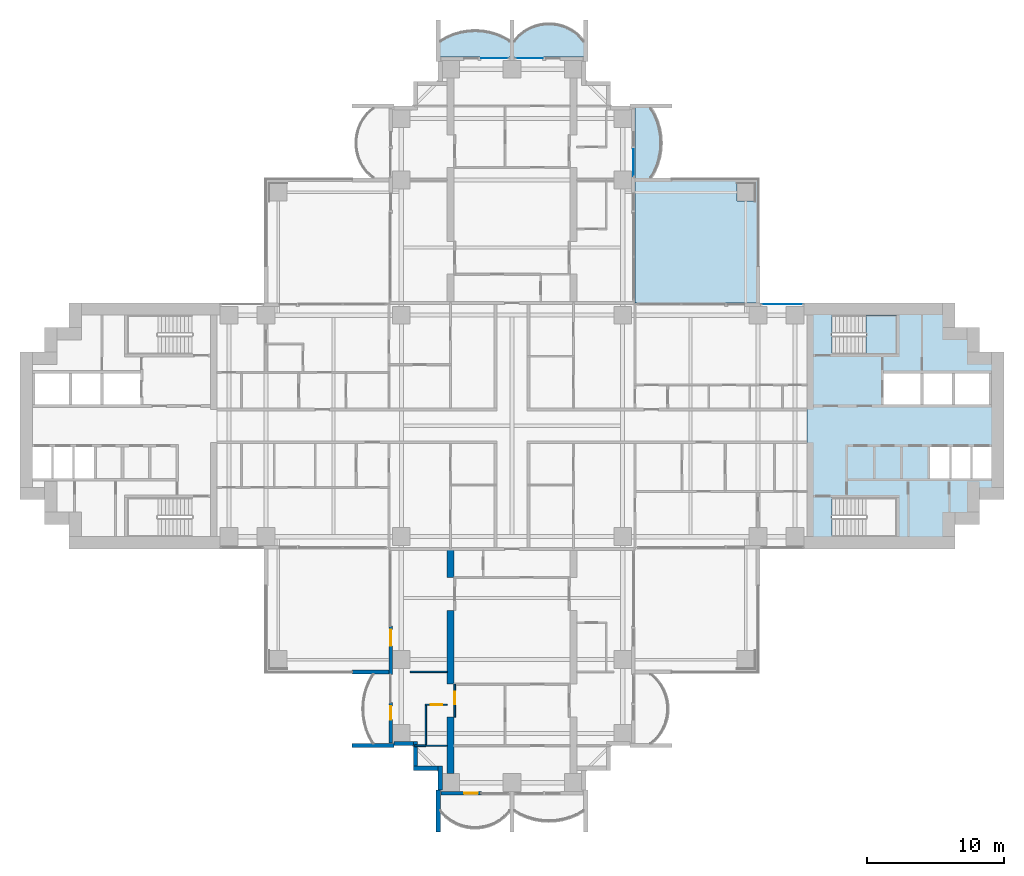
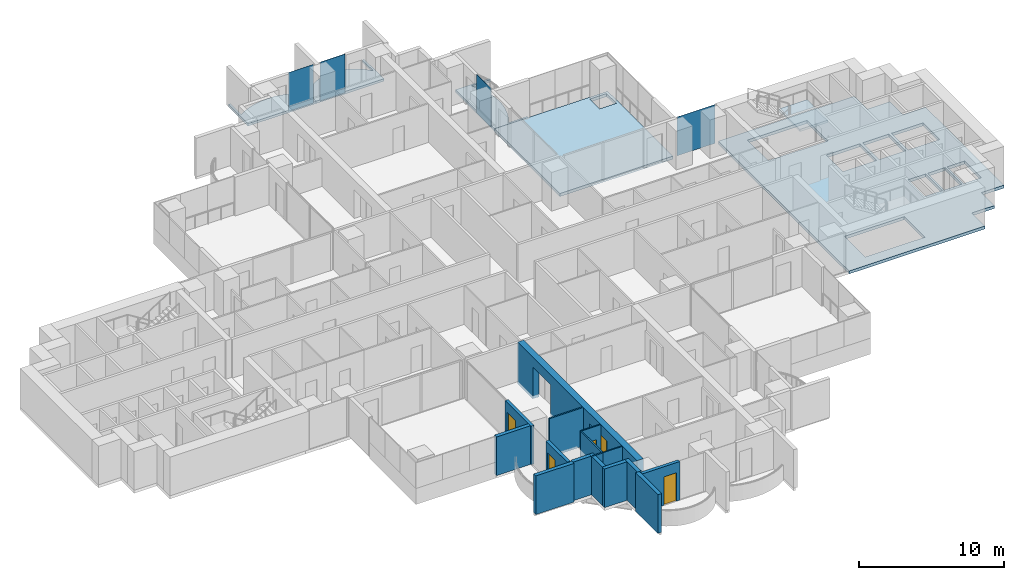
# One storey, part 9 of 21: 17 walls, 6 slabs, 5 doors, 4 plates, 5 openings, 5 elements without a shape of their own.
"""IFC4 building model written with IfcOpenShell, lengths in metres."""

import ifcopenshell
import ifcopenshell.guid

model = None  # the IFC model being written
_history = None  # IfcOwnerHistory: only IFC2X3 demands one
_inside = {}  # id of a spatial element -> (the spatial element, [elements in it])
_under = {}  # id of a project, library or spatial element -> (it, [spatial elements below it])
_declared = {}  # id of a project -> (the project, [libraries it declares])
_typed = {}  # id of a type object -> (the type object, [elements of that type])
_made_of = {}  # id of a material, layer set ... -> (it, [elements and type objects made of it])


def new_model(schema):
    """Start an empty IFC model of exactly this schema.

    Asked for "IFC4X3", IfcOpenShell would pick the latest addendum, in which some entities
    have other attributes; the version numbers below select the first issue.
    IFC2X3 requires an IfcOwnerHistory on every rooted entity: one is made here for all.
    """
    global model, _history
    if schema == "IFC4X3":
        model = ifcopenshell.file(schema_version=(4, 3, 0, 0))
    else:
        model = ifcopenshell.file(schema=schema)
    _inside.clear()
    _under.clear()
    _declared.clear()
    _typed.clear()
    _made_of.clear()
    _history = None
    if model.schema == "IFC2X3":
        org = make("IfcOrganization", Name="unknown")
        user = make(
            "IfcPersonAndOrganization",
            ThePerson=make("IfcPerson", FamilyName="unknown"),
            TheOrganization=org,
        )
        app = make(
            "IfcApplication",
            ApplicationDeveloper=org,
            Version="unknown",
            ApplicationFullName="unknown",
            ApplicationIdentifier="unknown",
        )
        _history = make(
            "IfcOwnerHistory",
            OwningUser=user,
            OwningApplication=app,
            ChangeAction="ADDED",
            CreationDate=0,
        )
    return model


def make(cls, **values):
    """One entity of the class cls with the attributes given. An attribute that is None is left unset."""
    return model.create_entity(
        cls, **{name: value for name, value in values.items() if value is not None}
    )


def rooted(cls, **values):
    """An entity with a GlobalId (a new one), such as an element, a storey or a relation."""
    return make(cls, GlobalId=ifcopenshell.guid.new(), OwnerHistory=_history, **values)


def si_unit(unit_type, name, prefix=None):
    """IfcSIUnit, for example si_unit("LENGTHUNIT", "METRE", prefix="MILLI")."""
    return make("IfcSIUnit", UnitType=unit_type, Prefix=prefix, Name=name)


def assignment(units):
    """IfcUnitAssignment: the units of a project."""
    return None if units is None else make("IfcUnitAssignment", Units=units)


def point(xyz):
    """IfcCartesianPoint."""
    return None if xyz is None else make("IfcCartesianPoint", Coordinates=xyz)


def direction(xyz):
    """IfcDirection."""
    return None if xyz is None else make("IfcDirection", DirectionRatios=xyz)


def frame(location, z_axis=None, x_axis=None):
    """IfcAxis2Placement3D, a coordinate frame: its origin and axes. An axis left out is left unset."""
    return make(
        "IfcAxis2Placement3D",
        Location=point(location),
        Axis=direction(z_axis),
        RefDirection=direction(x_axis),
    )


def frame_2d(location, x_axis=None):
    """IfcAxis2Placement2D, a coordinate frame in the plane: its origin and x axis."""
    return make(
        "IfcAxis2Placement2D", Location=point(location), RefDirection=direction(x_axis)
    )


def origin():
    """The frame at (0, 0, 0) with its axes left unset."""
    return frame((0.0, 0.0, 0.0))


def origin_2d():
    """The frame at (0, 0) in the plane with its x axis left unset."""
    return frame_2d((0.0, 0.0))


def place(relative_to, where):
    """IfcLocalPlacement: puts the frame where relative to a parent placement (None: the world)."""
    return make(
        "IfcLocalPlacement", PlacementRelTo=relative_to, RelativePlacement=where
    )


def context(
    kind, dimensions, precision=None, world=None, true_north=None, identifier=None
):
    """IfcGeometricRepresentationContext, for example the 3D "Model" context."""
    return make(
        "IfcGeometricRepresentationContext",
        ContextIdentifier=identifier,
        ContextType=kind,
        CoordinateSpaceDimension=dimensions,
        Precision=precision,
        WorldCoordinateSystem=world,
        TrueNorth=true_north,
    )


def subcontext(parent, identifier, kind, view, scale=None):
    """IfcGeometricRepresentationSubContext, for example "Body" below "Model"."""
    return make(
        "IfcGeometricRepresentationSubContext",
        ContextIdentifier=identifier,
        ContextType=kind,
        ParentContext=parent,
        TargetScale=scale,
        TargetView=view,
    )


def project(units=None, contexts=None):
    """IfcProject with its units and contexts."""
    return rooted(
        "IfcProject",
        Name="project",
        RepresentationContexts=contexts,
        UnitsInContext=assignment(units),
    )


def spatial(cls, under=None, at=None, **own):
    """A site, building, storey or space (cls), placed at a placement, below another one or the project."""
    s = rooted(cls, ObjectPlacement=at, **own)
    if under is not None:
        _under.setdefault(under.id(), (under, []))[1].append(s)
    return s


def polyline(points):
    """IfcPolyline through the points."""
    return make("IfcPolyline", Points=[point(p) for p in points])


def profile(cls, at=None, kind="AREA", **sizes):
    """A parametric profile (cls). Its sizes go by their IFC names, for example OverallWidth=200.0."""
    return make(cls, ProfileType=kind, Position=at, **sizes)


def rectangle(**sizes):
    """IfcRectangleProfileDef."""
    return profile("IfcRectangleProfileDef", **sizes)


def outline(outer, holes=None, kind="AREA"):
    """IfcArbitraryClosedProfileDef: a profile drawn as a closed curve; with holes, ...WithVoids."""
    if holes is None:
        return make("IfcArbitraryClosedProfileDef", ProfileType=kind, OuterCurve=outer)
    return make(
        "IfcArbitraryProfileDefWithVoids",
        ProfileType=kind,
        OuterCurve=outer,
        InnerCurves=holes,
    )


def extrude(swept, where, along, depth):
    """IfcExtrudedAreaSolid: the profile swept, set in the frame where, extruded along a direction by depth."""
    return make(
        "IfcExtrudedAreaSolid",
        SweptArea=swept,
        Position=where,
        ExtrudedDirection=direction(along),
        Depth=depth,
    )


def shape(context_of_items, identifier, shape_type, items):
    """IfcShapeRepresentation: the items that make up one representation, for example the "Body"."""
    return make(
        "IfcShapeRepresentation",
        ContextOfItems=context_of_items,
        RepresentationIdentifier=identifier,
        RepresentationType=shape_type,
        Items=items,
    )


def material(Name=None, Category=None):
    """IfcMaterial."""
    return make("IfcMaterial", Name=Name, Category=Category)


def layer(
    of_material, thickness, ventilated=None, Name=None, Category=None, Priority=None
):
    """IfcMaterialLayer: one layer of a wall or slab, of a material (None: an air gap)."""
    return make(
        "IfcMaterialLayer",
        Material=of_material,
        LayerThickness=thickness,
        IsVentilated=ventilated,
        Name=Name,
        Category=Category,
        Priority=Priority,
    )


def layer_set(layers, Name=None):
    """IfcMaterialLayerSet."""
    return make("IfcMaterialLayerSet", MaterialLayers=layers, LayerSetName=Name)


def material_profile(
    of_material, cross_section, Name=None, Category=None, Priority=None
):
    """IfcMaterialProfile: a cross section and its material."""
    return make(
        "IfcMaterialProfile",
        Name=Name,
        Material=of_material,
        Profile=cross_section,
        Priority=Priority,
        Category=Category,
    )


def profile_set(profiles, Name=None, composite=None):
    """IfcMaterialProfileSet."""
    return make(
        "IfcMaterialProfileSet",
        Name=Name,
        MaterialProfiles=profiles,
        CompositeProfile=composite,
    )


def made_of(thing, what):
    """Note that an element or type object is made of a material, layer set ...; save() writes the relation."""
    if what is not None:
        _made_of.setdefault(what.id(), (what, []))[1].append(thing)
    return thing


def type_object(cls, material=None, **own):
    """A type object (cls), such as IfcWallType, which elements share."""
    return made_of(rooted(cls, **own), material)


def element(
    cls,
    number,
    at=None,
    inside=None,
    cuts=None,
    type_object=None,
    material=None,
    context=None,
    identifier="Body",
    shape_type=None,
    held_by="IfcProductDefinitionShape",
    body=None,
    shapes=None,
    **own,
):
    """One element of the class cls, such as IfcWall. Its Tag is "e" and its number.

    at: its placement. inside: the storey or other place that contains it. cuts: it is an
    opening in that element (IfcRelVoidsElement). A single representation is given by context,
    identifier, shape_type and body (its items); several are given by shapes. held_by: the class
    of the entity that holds the representations. save() writes the other relations.
    """
    e = rooted(cls, Tag="e%d" % number, ObjectPlacement=at, **own)
    if body is not None:
        shapes = [shape(context, identifier, shape_type, body)]
    if shapes is not None:
        e.Representation = make(held_by, Representations=shapes)
    if inside is not None:
        _inside.setdefault(inside.id(), (inside, []))[1].append(e)
    if cuts is not None:
        rooted(
            "IfcRelVoidsElement", RelatingBuildingElement=cuts, RelatedOpeningElement=e
        )
    if type_object is not None:
        _typed.setdefault(type_object.id(), (type_object, []))[1].append(e)
    return made_of(e, material)


def fill(opening, filler):
    """IfcRelFillsElement: the door or window that sits in an opening."""
    return rooted(
        "IfcRelFillsElement",
        RelatingOpeningElement=opening,
        RelatedBuildingElement=filler,
    )


def aggregate(whole, parts):
    """IfcRelAggregates: a whole, such as a stair, and the parts it consists of."""
    return rooted("IfcRelAggregates", RelatingObject=whole, RelatedObjects=parts)


def save(model, path):
    """Write the relations noted so far, then the file.

    IfcRelAggregates (storeys below a building ...), IfcRelContainedInSpatialStructure (elements
    in a storey), IfcRelDefinesByType, IfcRelAssociatesMaterial and IfcRelDeclares: one each for
    every whole, place, type object, material and project.
    """
    for whole, parts in _under.values():
        aggregate(whole, parts)
    for where, things in _inside.values():
        rooted(
            "IfcRelContainedInSpatialStructure",
            RelatedElements=things,
            RelatingStructure=where,
        )
    for kind, things in _typed.values():
        rooted("IfcRelDefinesByType", RelatedObjects=things, RelatingType=kind)
    for what, things in _made_of.values():
        rooted("IfcRelAssociatesMaterial", RelatedObjects=things, RelatingMaterial=what)
    for by, libraries in _declared.values():
        rooted("IfcRelDeclares", RelatingContext=by, RelatedDefinitions=libraries)
    model.write(path)


model = new_model("IFC4")

# Units and contexts
model_context = context("Model", 3, precision=1e-05, world=origin(), true_north=direction((0.0, 1.0)))
body_context = subcontext(model_context, "Body", "Model", "MODEL_VIEW")
ifc_project = project(units=[si_unit("LENGTHUNIT", "METRE"), si_unit("AREAUNIT", "SQUARE_METRE"), si_unit("VOLUMEUNIT", "CUBIC_METRE"), si_unit("PLANEANGLEUNIT", "RADIAN"), si_unit("MASSUNIT", "GRAM", prefix="KILO")], contexts=[model_context])

# Site, building, storey
site_placement = place(None, origin())
site = spatial("IfcSite", under=ifc_project, at=site_placement, CompositionType="ELEMENT")
building_placement = place(site_placement, origin())
building = spatial("IfcBuilding", under=site, at=building_placement, Name="Perihelion Cross Residences", CompositionType="ELEMENT")
storey_placement = place(building_placement, frame((0.0, 0.0, 43.5)))
storey = spatial("IfcBuildingStorey", under=building, at=storey_placement, Name="L07", CompositionType="ELEMENT", Elevation=43.5)

# Slabs
ifc_material_1 = material(Name="Concrete C40/50", Category="concrete")
ifc_layer_1 = layer(ifc_material_1, 0.199951171875)
ifc_layer_set_1 = layer_set([ifc_layer_1], Name="Balcony slab 200")
slab_type_1 = type_object("IfcSlabType", Name="Balcony slab 200", PredefinedType="FLOOR", material=ifc_layer_set_1)
slab_1_placement = place(storey_placement, frame((0.0, 0.0, -0.199951171875)))
element("IfcSlab", 1, at=slab_1_placement, inside=storey, type_object=slab_type_1, Name="Slab BK1 L07 north side east bay 2 balcony", PredefinedType="FLOOR", context=body_context, shape_type="SweptSolid", body=[
    extrude(outline(polyline([(9.0, 18.0), (9.0, 23.39990234375), (11.699951171875, 23.39990234375), (11.699951171875, 23.25), (10.199951171875, 23.25), (10.4853515625, 22.739990234375), (10.694580078125, 22.22998046875), (10.838134765625, 21.719970703125), (10.92236328125, 21.2099609375), (10.949951171875, 20.699951171875), (10.92236328125, 20.18994140625), (10.838134765625, 19.679931640625), (10.694580078125, 19.169921875), (10.4853515625, 18.659912109375), (10.199951171875, 18.14990234375), (11.699951171875, 18.14990234375), (11.699951171875, 18.0), (9.0, 18.0)])), origin(), (0.0, 0.0, 1.0), 0.199951171875),
])
slab_2_placement = place(storey_placement, frame((0.0, 0.0, -0.199951171875)))
element("IfcSlab", 2, at=slab_2_placement, inside=storey, type_object=slab_type_1, Name="Slab BK1 L07 north tip north bay 1 balcony", PredefinedType="FLOOR", context=body_context, shape_type="SweptSolid", body=[
    extrude(outline(polyline([(5.39990234375, 27.0), (0.0, 27.0), (0.0, 29.699951171875), (0.14990234375, 29.699951171875), (0.14990234375, 28.199951171875), (0.542236328125, 28.622314453125), (0.9345703125, 28.924072265625), (1.326904296875, 29.143310546875), (1.71923828125, 29.29736328125), (2.111572265625, 29.39599609375), (2.50390625, 29.444091796875), (2.896240234375, 29.444091796875), (3.28857421875, 29.39599609375), (3.6806640625, 29.29736328125), (4.072998046875, 29.143310546875), (4.46533203125, 28.924072265625), (4.857666015625, 28.622314453125), (5.25, 28.199951171875), (5.25, 29.699951171875), (5.39990234375, 29.699951171875), (5.39990234375, 27.0)])), origin(), (0.0, 0.0, 1.0), 0.199951171875),
])
slab_3_placement = place(storey_placement, frame((0.0, 0.0, -0.199951171875)))
element("IfcSlab", 3, at=slab_3_placement, inside=storey, type_object=slab_type_1, Name="Slab BK1 L07 north tip north bay 2 balcony", PredefinedType="FLOOR", context=body_context, shape_type="SweptSolid", body=[
    extrude(outline(polyline([(0.0, 27.0), (-5.39990234375, 27.0), (-5.39990234375, 29.699951171875), (-5.25, 29.699951171875), (-5.25, 28.199951171875), (-4.739990234375, 28.4853515625), (-4.22998046875, 28.694580078125), (-3.719970703125, 28.838134765625), (-3.2099609375, 28.92236328125), (-2.699951171875, 28.949951171875), (-2.18994140625, 28.92236328125), (-1.679931640625, 28.838134765625), (-1.169921875, 28.694580078125), (-0.659912109375, 28.4853515625), (-0.14990234375, 28.199951171875), (-0.14990234375, 29.699951171875), (0.0, 29.699951171875), (0.0, 27.0)])), origin(), (0.0, 0.0, 1.0), 0.199951171875),
])

# Curtain wall, plate
ifc_material_2 = material(Name="Bronze anodised aluminium, tinted glazing", Category="aluminium")
curtain_wall_type = type_object("IfcCurtainWallType", Name="CW1", PredefinedType="NOTDEFINED", material=ifc_material_2)
curtain_wall_1_placement = place(storey_placement, origin())
curtain_wall_1 = element("IfcCurtainWall", 4, at=curtain_wall_1_placement, inside=storey, type_object=curtain_wall_type, Name="Curtain wall CW1 L07 east side north bay 1", PredefinedType="NOTDEFINED")
ifc_material_3 = material(Name="Tinted laminated glass", Category="glass")
ifc_layer_2 = layer(ifc_material_3, 0.028076171875)
ifc_layer_set_2 = layer_set([ifc_layer_2], Name="CW1 panel")
plate_type = type_object("IfcPlateType", Name="CW1 panel", PredefinedType="CURTAIN_PANEL", material=ifc_layer_set_2)
plate_1_placement = place(storey_placement, frame((19.77490234375, 8.89990234375, 0.0), z_axis=(0.0, 0.0, 1.0), x_axis=(-1.0, 0.0, 0.0)))
plate_1 = element("IfcPlate", 5, at=plate_1_placement, type_object=plate_type, Name="CW1 panel 1", PredefinedType="CURTAIN_PANEL", context=body_context, shape_type="SweptSolid", body=[
    extrude(rectangle(XDim=3.030029296875, YDim=0.028076171875, at=origin_2d()), origin(), (0.0, 0.0, 1.0), 3.25),
])
aggregate(curtain_wall_1, [plate_1])

curtain_wall_2_placement = place(storey_placement, origin())
curtain_wall_2 = element("IfcCurtainWall", 6, at=curtain_wall_2_placement, inside=storey, type_object=curtain_wall_type, Name="Curtain wall CW1 L07 north side east bay 2", PredefinedType="NOTDEFINED")
plate_2_placement = place(storey_placement, frame((8.89990234375, 19.2548828125, 0.0), z_axis=(0.0, 0.0, 1.0), x_axis=(0.0, 1.0, 0.0)))
plate_2 = element("IfcPlate", 7, at=plate_2_placement, type_object=plate_type, Name="CW1 panel 1", PredefinedType="CURTAIN_PANEL", context=body_context, shape_type="SweptSolid", body=[
    extrude(rectangle(XDim=1.989990234375, YDim=0.028076171875, at=origin_2d()), origin(), (0.0, 0.0, 1.0), 3.25),
])
aggregate(curtain_wall_2, [plate_2])

curtain_wall_3_placement = place(storey_placement, origin())
curtain_wall_3 = element("IfcCurtainWall", 8, at=curtain_wall_3_placement, inside=storey, type_object=curtain_wall_type, Name="Curtain wall CW1 L07 north tip north bay 1", PredefinedType="NOTDEFINED")
plate_3_placement = place(storey_placement, frame((1.2548828125, 26.89990234375, 0.0), z_axis=(0.0, 0.0, 1.0), x_axis=(-1.0, 0.0, 0.0)))
plate_3 = element("IfcPlate", 9, at=plate_3_placement, type_object=plate_type, Name="CW1 panel 1", PredefinedType="CURTAIN_PANEL", context=body_context, shape_type="SweptSolid", body=[
    extrude(rectangle(XDim=1.989990234375, YDim=0.028076171875, at=origin_2d()), origin(), (0.0, 0.0, 1.0), 3.25),
])
aggregate(curtain_wall_3, [plate_3])

curtain_wall_4_placement = place(storey_placement, origin())
curtain_wall_4 = element("IfcCurtainWall", 10, at=curtain_wall_4_placement, inside=storey, type_object=curtain_wall_type, Name="Curtain wall CW1 L07 north tip north bay 2", PredefinedType="NOTDEFINED")
plate_4_placement = place(storey_placement, frame((-1.2548828125, 26.89990234375, 0.0), z_axis=(0.0, 0.0, 1.0), x_axis=(-1.0, 0.0, 0.0)))
plate_4 = element("IfcPlate", 11, at=plate_4_placement, type_object=plate_type, Name="CW1 panel 1", PredefinedType="CURTAIN_PANEL", context=body_context, shape_type="SweptSolid", body=[
    extrude(rectangle(XDim=1.989990234375, YDim=0.028076171875, at=origin_2d()), origin(), (0.0, 0.0, 1.0), 3.25),
])
aggregate(curtain_wall_4, [plate_4])

# Slabs
ifc_material_4 = material(Name="Concrete C40/50", Category="concrete")
ifc_layer_3 = layer(ifc_material_4, 0.25)
ifc_layer_set_3 = layer_set([ifc_layer_3], Name="Core floor slab 250")
slab_type_2 = type_object("IfcSlabType", Name="Core floor slab 250", PredefinedType="FLOOR", material=ifc_layer_set_3)
slab_4_placement = place(storey_placement, frame((0.0, 0.0, -0.25)))
element("IfcSlab", 12, at=slab_4_placement, inside=storey, type_object=slab_type_2, Name="East core floor slab", PredefinedType="FLOOR", context=body_context, shape_type="SweptSolid", body=[
    extrude(outline(polyline([(32.39990234375, 7.199951171875), (34.199951171875, 7.199951171875), (34.199951171875, 5.39990234375), (36.0, 5.39990234375), (36.0, -5.39990234375), (34.199951171875, -5.39990234375), (34.199951171875, -7.199951171875), (32.39990234375, -7.199951171875), (32.39990234375, -9.0), (21.60009765625, -9.0), (21.60009765625, 9.0), (32.39990234375, 9.0), (32.39990234375, 7.199951171875)]), holes=[polyline([(23.405029296875, -8.10009765625), (28.14990234375, -8.10009765625), (28.14990234375, -5.25), (23.405029296875, -5.25), (23.405029296875, -8.10009765625)]), polyline([(30.60009765625, -1.550048828125), (30.60009765625, -3.85009765625), (32.0, -3.85009765625), (32.0, -1.550048828125), (30.60009765625, -1.550048828125)]), polyline([(32.14990234375, -1.550048828125), (32.14990234375, -3.85009765625), (33.550048828125, -3.85009765625), (33.550048828125, -1.550048828125), (32.14990234375, -1.550048828125)]), polyline([(33.699951171875, -1.550048828125), (33.699951171875, -3.85009765625), (35.10009765625, -3.85009765625), (35.10009765625, -1.550048828125), (33.699951171875, -1.550048828125)]), polyline([(27.199951171875, 3.85009765625), (27.199951171875, 1.550048828125), (29.89990234375, 1.550048828125), (29.89990234375, 3.85009765625), (27.199951171875, 3.85009765625)]), polyline([(30.10009765625, 3.85009765625), (30.10009765625, 1.550048828125), (32.199951171875, 1.550048828125), (32.199951171875, 3.85009765625), (30.10009765625, 3.85009765625)]), polyline([(32.39990234375, 3.85009765625), (32.39990234375, 1.550048828125), (34.89990234375, 1.550048828125), (34.89990234375, 3.85009765625), (32.39990234375, 3.85009765625)]), polyline([(23.405029296875, 5.25), (28.14990234375, 5.25), (28.14990234375, 8.10009765625), (23.405029296875, 8.10009765625), (23.405029296875, 5.25)])]), origin(), (0.0, 0.0, 1.0), 0.25),
])
ifc_material_5 = material(Name="Concrete C40/50", Category="concrete")
ifc_layer_4 = layer(ifc_material_5, 0.25)
ifc_layer_set_4 = layer_set([ifc_layer_4], Name="Corner terrace slab")
slab_type_3 = type_object("IfcSlabType", Name="Corner terrace slab", PredefinedType="FLOOR", material=ifc_layer_set_4)
slab_5_placement = place(storey_placement, frame((0.0, 0.0, -0.25)))
element("IfcSlab", 13, at=slab_5_placement, inside=storey, type_object=slab_type_3, Name="Slab BK2 L07 pocket north-east", PredefinedType="FLOOR", context=body_context, shape_type="SweptSolid", body=[
    extrude(outline(polyline([(18.0, 9.0), (18.0, 18.0), (9.0, 18.0), (9.0, 9.0), (18.0, 9.0)]), holes=[polyline([(16.449951171875, 16.449951171875), (16.449951171875, 17.7900390625), (17.7900390625, 17.7900390625), (17.7900390625, 16.409912109375), (17.75, 16.409912109375), (17.75, 16.449951171875), (16.449951171875, 16.449951171875)])]), origin(), (0.0, 0.0, 1.0), 0.25),
])

# Stair, slab
ifc_material_6 = material(Name="Concrete C40/50", Category="concrete")
stair_type = type_object("IfcStairType", Name="Exit stair, half-turn", PredefinedType="HALF_TURN_STAIR", material=ifc_material_6)
stair_placement = place(storey_placement, origin())
stair = element("IfcStair", 14, at=stair_placement, inside=storey, type_object=stair_type, Name="L07 East core exit stair 1", PredefinedType="HALF_TURN_STAIR")
ifc_material_7 = material(Name="Concrete C40/50", Category="concrete")
ifc_layer_5 = layer(ifc_material_7, 0.199951171875)
ifc_layer_set_5 = layer_set([ifc_layer_5], Name="Exit stair landing 200")
slab_type_4 = type_object("IfcSlabType", Name="Exit stair landing 200", PredefinedType="LANDING", material=ifc_layer_set_5)
slab_6_placement = place(storey_placement, frame((0.0, 0.0, 1.550048828125)))
slab_6 = element("IfcSlab", 15, at=slab_6_placement, type_object=slab_type_4, Name="ST-E1 landing 1", PredefinedType="LANDING", context=body_context, shape_type="SweptSolid", body=[
    extrude(outline(polyline([(25.919921875, 5.25), (28.14990234375, 5.25), (28.14990234375, 8.10009765625), (25.919921875, 8.10009765625), (25.919921875, 5.25)])), origin(), (0.0, 0.0, 1.0), 0.199951171875),
])
aggregate(stair, [slab_6])

# Wall, opening, door
ifc_material_8 = material(Name="Concrete C30/37, bronze-clad", Category="concrete")
ifc_layer_6 = layer(ifc_material_8, 0.25)
ifc_layer_set_6 = layer_set([ifc_layer_6], Name="Bronze-clad pier wall 250")
wall_type_1 = type_object("IfcWallType", Name="Bronze-clad pier wall 250", PredefinedType="SOLIDWALL", material=ifc_layer_set_6)
wall_1_placement = place(storey_placement, frame((-8.875, -14.64990234375, 0.0), z_axis=(0.0, 0.0, 1.0), x_axis=(0.0, -1.0, 0.0)))
wall_1 = element("IfcWall", 16, at=wall_1_placement, inside=storey, type_object=wall_type_1, Name="Wall FW1 L07 south side west bay 1 pier", PredefinedType="SOLIDWALL", context=body_context, shape_type="SweptSolid", body=[
    extrude(rectangle(XDim=3.550048828125, YDim=0.25, at=frame_2d((1.77490234375, 0.0))), origin(), (0.0, 0.0, 1.0), 3.25),
])
opening_1_placement = place(wall_1_placement, frame((0.25, 0.0, 0.0)))
opening_1 = element("IfcOpeningElement", 17, at=opening_1_placement, cuts=wall_1, Name="Opening L07.E10", PredefinedType="OPENING", context=body_context, shape_type="SweptSolid", body=[
    extrude(rectangle(XDim=1.199951171875, YDim=2.39990234375, at=frame_2d((0.60009765625, 1.199951171875))), frame((0.0, 0.135009765625, 0.0), z_axis=(0.0, -1.0, 0.0), x_axis=(1.0, 0.0, 0.0)), (0.0, 0.0, 1.0), 0.27001953125),
])
ifc_material_9 = material(Name="Bronze anodised aluminium, glazed", Category="aluminium")
door_type_1 = type_object("IfcDoorType", Name="Balcony door 1200 x 2400", OperationType="NOTDEFINED", PredefinedType="DOOR", material=ifc_material_9)
door_1_placement = place(opening_1_placement, origin())
door_1 = element("IfcDoor", 18, at=door_1_placement, inside=storey, type_object=door_type_1, Name="Door L07.E10 south side west bay 1", OperationType="SINGLE_SWING_LEFT", OverallHeight=2.39990234375, OverallWidth=1.199951171875, PredefinedType="DOOR", context=body_context, shape_type="SweptSolid", body=[
    extrude(rectangle(XDim=1.199951171875, YDim=2.39990234375, at=frame_2d((0.60009765625, 1.199951171875))), frame((0.0, 0.02490234375, 0.0), z_axis=(0.0, -1.0, 0.0), x_axis=(1.0, 0.0, 0.0)), (0.0, 0.0, 1.0), 0.050048828125),
])
fill(opening_1, door_1)

wall_2_placement = place(storey_placement, frame((-8.875, -20.25, 0.0), z_axis=(0.0, 0.0, 1.0), x_axis=(0.0, -1.0, 0.0)))
wall_2 = element("IfcWall", 19, at=wall_2_placement, inside=storey, type_object=wall_type_1, Name="Wall FW1 L07 south side west bay 2 pier", PredefinedType="SOLIDWALL", context=body_context, shape_type="SweptSolid", body=[
    extrude(rectangle(XDim=2.949951171875, YDim=0.25, at=frame_2d((1.47509765625, 0.0))), origin(), (0.0, 0.0, 1.0), 3.25),
])
opening_2_placement = place(wall_2_placement, frame((0.25, 0.0, 0.0)))
opening_2 = element("IfcOpeningElement", 20, at=opening_2_placement, cuts=wall_2, Name="Opening L07.E11", PredefinedType="OPENING", context=body_context, shape_type="SweptSolid", body=[
    extrude(rectangle(XDim=1.0, YDim=2.39990234375, at=frame_2d((0.5, 1.199951171875))), frame((0.0, 0.135009765625, 0.0), z_axis=(0.0, -1.0, 0.0), x_axis=(1.0, 0.0, 0.0)), (0.0, 0.0, 1.0), 0.27001953125),
])
ifc_material_10 = material(Name="Bronze anodised aluminium, glazed", Category="aluminium")
door_type_2 = type_object("IfcDoorType", Name="Balcony door 1000 x 2400", OperationType="NOTDEFINED", PredefinedType="DOOR", material=ifc_material_10)
door_2_placement = place(opening_2_placement, origin())
door_2 = element("IfcDoor", 21, at=door_2_placement, inside=storey, type_object=door_type_2, Name="Door L07.E11 south side west bay 2", OperationType="SINGLE_SWING_RIGHT", OverallHeight=2.39990234375, OverallWidth=1.0, PredefinedType="DOOR", context=body_context, shape_type="SweptSolid", body=[
    extrude(rectangle(XDim=1.0, YDim=2.39990234375, at=frame_2d((0.5, 1.199951171875))), frame((0.0, 0.02490234375, 0.0), z_axis=(0.0, -1.0, 0.0), x_axis=(1.0, 0.0, 0.0)), (0.0, 0.0, 1.0), 0.050048828125),
])
fill(opening_2, door_2)

wall_3_placement = place(storey_placement, frame((-5.199951171875, -26.875, 0.0), z_axis=(0.0, 0.0, 1.0), x_axis=(1.0, 0.0, 0.0)))
wall_3 = element("IfcWall", 22, at=wall_3_placement, inside=storey, type_object=wall_type_1, Name="Wall FW1 L07 south tip south bay 1 pier", PredefinedType="SOLIDWALL", context=body_context, shape_type="SweptSolid", body=[
    extrude(rectangle(XDim=2.949951171875, YDim=0.25, at=frame_2d((1.47509765625, 0.0))), origin(), (0.0, 0.0, 1.0), 3.25),
])
opening_3_placement = place(wall_3_placement, frame((1.699951171875, 0.0, 0.0)))
opening_3 = element("IfcOpeningElement", 23, at=opening_3_placement, cuts=wall_3, Name="Opening L07.E12", PredefinedType="OPENING", context=body_context, shape_type="SweptSolid", body=[
    extrude(rectangle(XDim=1.0, YDim=2.39990234375, at=frame_2d((0.5, 1.199951171875))), frame((0.0, 0.135009765625, 0.0), z_axis=(0.0, -1.0, 0.0), x_axis=(1.0, 0.0, 0.0)), (0.0, 0.0, 1.0), 0.27001953125),
])
door_3_placement = place(opening_3_placement, origin())
door_3 = element("IfcDoor", 24, at=door_3_placement, inside=storey, type_object=door_type_2, Name="Door L07.E12 south tip south bay 1", OperationType="SINGLE_SWING_LEFT", OverallHeight=2.39990234375, OverallWidth=1.0, PredefinedType="DOOR", context=body_context, shape_type="SweptSolid", body=[
    extrude(rectangle(XDim=1.0, YDim=2.39990234375, at=frame_2d((0.5, 1.199951171875))), frame((0.0, 0.02490234375, 0.0), z_axis=(0.0, -1.0, 0.0), x_axis=(1.0, 0.0, 0.0)), (0.0, 0.0, 1.0), 0.050048828125),
])
fill(opening_3, door_3)

# Walls
ifc_material_11 = material(Name="Concrete C30/37, bronze-clad", Category="concrete")
ifc_layer_7 = layer(ifc_material_11, 0.300048828125)
ifc_layer_set_7 = layer_set([ifc_layer_7], Name="Bronze-clad serration wall 300")
wall_type_2 = type_object("IfcWallType", Name="Bronze-clad serration wall 300", PredefinedType="SOLIDWALL", material=ifc_layer_set_7)
wall_4_placement = place(storey_placement, frame((-8.64990234375, -23.25, 0.0), z_axis=(0.0, 0.0, 1.0), x_axis=(1.0, 0.0, 0.0)))
element("IfcWall", 25, at=wall_4_placement, inside=storey, type_object=wall_type_2, Name="Wall SR1 L07 south corner south-west 1", PredefinedType="SOLIDWALL", context=body_context, shape_type="SweptSolid", body=[
    extrude(rectangle(XDim=1.449951171875, YDim=0.300048828125, at=frame_2d((0.72509765625, 0.0))), origin(), (0.0, 0.0, 1.0), 3.25),
])
wall_5_placement = place(storey_placement, frame((-7.050048828125, -23.10009765625, 0.0), z_axis=(0.0, 0.0, 1.0), x_axis=(0.0, -1.0, 0.0)))
element("IfcWall", 26, at=wall_5_placement, inside=storey, type_object=wall_type_2, Name="Wall SR1 L07 south corner south-west 2", PredefinedType="SOLIDWALL", context=body_context, shape_type="SweptSolid", body=[
    extrude(rectangle(XDim=1.7998046875, YDim=0.300048828125, at=frame_2d((0.89990234375, 0.0))), origin(), (0.0, 0.0, 1.0), 3.25),
])
wall_6_placement = place(storey_placement, frame((-7.199951171875, -25.050048828125, 0.0), z_axis=(0.0, 0.0, 1.0), x_axis=(1.0, 0.0, 0.0)))
element("IfcWall", 27, at=wall_6_placement, inside=storey, type_object=wall_type_2, Name="Wall SR1 L07 south corner south-west 3", PredefinedType="SOLIDWALL", context=body_context, shape_type="SweptSolid", body=[
    extrude(rectangle(XDim=1.800048828125, YDim=0.300048828125, at=frame_2d((0.89990234375, 0.0))), origin(), (0.0, 0.0, 1.0), 3.25),
])
wall_7_placement = place(storey_placement, frame((-5.25, -24.89990234375, 0.0), z_axis=(0.0, 0.0, 1.0), x_axis=(0.0, -1.0, 0.0)))
element("IfcWall", 28, at=wall_7_placement, inside=storey, type_object=wall_type_2, Name="Wall SR1 L07 south corner south-west 4", PredefinedType="SOLIDWALL", context=body_context, shape_type="SweptSolid", body=[
    extrude(rectangle(XDim=1.75, YDim=0.300048828125, at=frame_2d((0.875, 0.0))), origin(), (0.0, 0.0, 1.0), 3.25),
])

# Wall, opening, door
ifc_material_12 = material(Name="Plasterboard partition")
ifc_layer_8 = layer(ifc_material_12, 0.1201171875)
ifc_layer_set_8 = layer_set([ifc_layer_8], Name="Infill panel 120")
wall_type_3 = type_object("IfcWallType", Name="Infill panel 120", PredefinedType="PARTITIONING", material=ifc_layer_set_8)
wall_8_placement = place(storey_placement, frame((-4.18994140625, -18.89990234375, 0.0), z_axis=(0.0, 0.0, 1.0), x_axis=(0.0, -1.0, 0.0)))
wall_8 = element("IfcWall", 29, at=wall_8_placement, inside=storey, type_object=wall_type_3, Name="Partition L07 WI08", PredefinedType="PARTITIONING", context=body_context, shape_type="SweptSolid", body=[
    extrude(rectangle(XDim=2.400146484375, YDim=0.1201171875, at=frame_2d((1.2001953125, 0.0))), origin(), (0.0, 0.0, 1.0), 2.39990234375),
])
opening_4_placement = place(wall_8_placement, frame((0.550048828125, 0.0, 0.0)))
opening_4 = element("IfcOpeningElement", 30, at=opening_4_placement, cuts=wall_8, Name="Opening L07.A61", PredefinedType="OPENING", context=body_context, shape_type="SweptSolid", body=[
    extrude(rectangle(XDim=0.89990234375, YDim=2.10009765625, at=frame_2d((0.449951171875, 1.050048828125))), frame((0.0, 0.070068359375, 0.0), z_axis=(0.0, -1.0, 0.0), x_axis=(1.0, 0.0, 0.0)), (0.0, 0.0, 1.0), 0.14013671875),
])
ifc_material_13 = material(Name="Timber door leaf", Category="wood")
door_type_3 = type_object("IfcDoorType", Name="Interior room door 900 x 2100", OperationType="SINGLE_SWING_LEFT", PredefinedType="DOOR", material=ifc_material_13)
door_4_placement = place(opening_4_placement, origin())
door_4 = element("IfcDoor", 31, at=door_4_placement, inside=storey, type_object=door_type_3, Name="Door L07.A61", OperationType="SINGLE_SWING_LEFT", OverallHeight=2.10009765625, OverallWidth=0.89990234375, PredefinedType="DOOR", context=body_context, shape_type="SweptSolid", body=[
    extrude(rectangle(XDim=0.89990234375, YDim=2.10009765625, at=frame_2d((0.449951171875, 1.050048828125))), frame((0.0, 0.02490234375, 0.0), z_axis=(0.0, -1.0, 0.0), x_axis=(1.0, 0.0, 0.0)), (0.0, 0.0, 1.0), 0.050048828125),
])
fill(opening_4, door_4)

# Walls
ifc_material_14 = material(Name="Plasterboard partition")
ifc_layer_9 = layer(ifc_material_14, 0.1201171875)
ifc_layer_set_9 = layer_set([ifc_layer_9], Name="Partition wall 120")
wall_type_4 = type_object("IfcWallType", Name="Partition wall 120", PredefinedType="PARTITIONING", material=ifc_layer_set_9)
wall_9_placement = place(storey_placement, frame((-4.75, -18.0, 0.0), z_axis=(0.0, 0.0, 1.0), x_axis=(-1.0, 0.0, 0.0)))
element("IfcWall", 32, at=wall_9_placement, inside=storey, type_object=wall_type_4, Name="Partition L07 W083", PredefinedType="PARTITIONING", context=body_context, shape_type="SweptSolid", body=[
    extrude(rectangle(XDim=2.699951171875, YDim=0.1201171875, at=frame_2d((1.35009765625, 0.0))), origin(), (0.0, 0.0, 1.0), 3.25),
])
wall_10_placement = place(storey_placement, frame((-6.300048828125, -23.39990234375, 0.0), z_axis=(0.0, 0.0, 1.0), x_axis=(-1.0, 0.0, 0.0)))
element("IfcWall", 33, at=wall_10_placement, inside=storey, type_object=wall_type_4, Name="Partition L07 W086", PredefinedType="PARTITIONING", context=body_context, shape_type="SweptSolid", body=[
    extrude(rectangle(XDim=0.820068359375, YDim=0.1201171875, at=frame_2d((0.41015625, 0.0))), origin(), (0.0, 0.0, 1.0), 3.25),
])
ifc_material_15 = material(Name="Precast concrete C50/60", Category="concrete")
ifc_layer_10 = layer(ifc_material_15, 0.300048828125)
ifc_layer_set_10 = layer_set([ifc_layer_10], Name="Precast concrete C50/60 blade wall 300")
wall_type_5 = type_object("IfcWallType", Name="Precast concrete C50/60 blade wall 300", PredefinedType="SOLIDWALL", material=ifc_layer_set_10)
wall_11_placement = place(storey_placement, frame((-8.64990234375, -23.39990234375, 0.0), z_axis=(0.0, 0.0, 1.0), x_axis=(-1.0, 0.0, 0.0)))
element("IfcWall", 34, at=wall_11_placement, inside=storey, type_object=wall_type_5, Name="Wall BL1 L07 no. 6", PredefinedType="SOLIDWALL", context=body_context, shape_type="SweptSolid", body=[
    extrude(rectangle(XDim=3.050048828125, YDim=0.300048828125, at=frame_2d((1.52490234375, 0.0))), origin(), (0.0, 0.0, 1.0), 3.25),
])
wall_12_placement = place(storey_placement, frame((-9.0, -18.0, 0.0), z_axis=(0.0, 0.0, 1.0), x_axis=(-1.0, 0.0, 0.0)))
element("IfcWall", 35, at=wall_12_placement, inside=storey, type_object=wall_type_5, Name="Wall BL1 L07 no. 5", PredefinedType="SOLIDWALL", context=body_context, shape_type="SweptSolid", body=[
    extrude(rectangle(XDim=2.699951171875, YDim=0.300048828125, at=frame_2d((1.35009765625, 0.0))), origin(), (0.0, 0.0, 1.0), 3.25),
])
wall_13_placement = place(storey_placement, frame((-5.39990234375, -26.64990234375, 0.0), z_axis=(0.0, 0.0, 1.0), x_axis=(0.0, -1.0, 0.0)))
element("IfcWall", 36, at=wall_13_placement, inside=storey, type_object=wall_type_5, Name="Wall BL1 L07 no. 3", PredefinedType="SOLIDWALL", context=body_context, shape_type="SweptSolid", body=[
    extrude(rectangle(XDim=3.050048828125, YDim=0.300048828125, at=frame_2d((1.52490234375, 0.0))), origin(), (0.0, 0.0, 1.0), 3.25),
])
ifc_material_16 = material(Name="Concrete C60/75", Category="concrete")
ifc_material_profile = material_profile(ifc_material_16, outline(polyline([(0.0, 0.0), (4.14990234375, 0.0), (4.14990234375, 2.64990234375), (6.550048828125, 2.64990234375), (6.550048828125, 0.0), (11.949951171875, 0.0), (11.949951171875, 2.64990234375), (14.35009765625, 2.64990234375), (14.35009765625, 0.0), (16.449951171875, 0.0), (16.449951171875, 3.5), (0.0, 3.5), (0.0, 0.0)])), Name="Tip spine wall")
ifc_profile_set = profile_set([ifc_material_profile], Name="Concrete C60/75")
wall_type_6 = type_object("IfcWallType", Name="Tip spine wall 500 with 2 door openings 16450 long 3500 high concrete C60/75 hand A", PredefinedType="SHEAR", material=ifc_profile_set)
wall_14_placement = place(storey_placement, frame((-4.75, -25.449951171875, -0.25), z_axis=(1.0, 0.0, 0.0), x_axis=(0.0, 1.0, 0.0)))
element("IfcWall", 37, at=wall_14_placement, inside=storey, type_object=wall_type_6, Name="Shear wall SW24 L07 south west", PredefinedType="SHEAR", context=body_context, shape_type="SweptSolid", body=[
    extrude(outline(polyline([(0.0, 0.0), (4.14990234375, 0.0), (4.14990234375, 2.64990234375), (6.550048828125, 2.64990234375), (6.550048828125, 0.0), (11.949951171875, 0.0), (11.949951171875, 2.64990234375), (14.35009765625, 2.64990234375), (14.35009765625, 0.0), (16.449951171875, 0.0), (16.449951171875, 3.5), (0.0, 3.5), (0.0, 0.0)])), origin(), (0.0, 0.0, 1.0), 0.5),
])

# Wall, opening, door
ifc_material_17 = material(Name="Plasterboard partition")
ifc_layer_11 = layer(ifc_material_17, 0.10009765625)
ifc_layer_set_11 = layer_set([ifc_layer_11], Name="Wet room wall 100")
wall_type_7 = type_object("IfcWallType", Name="Wet room wall 100", PredefinedType="PARTITIONING", material=ifc_layer_set_11)
wall_15_placement = place(storey_placement, frame((-4.75, -20.39990234375, 0.0), z_axis=(0.0, 0.0, 1.0), x_axis=(-1.0, 0.0, 0.0)))
wall_15 = element("IfcWall", 38, at=wall_15_placement, inside=storey, type_object=wall_type_7, Name="Partition L07 W084", PredefinedType="PARTITIONING", context=body_context, shape_type="SweptSolid", body=[
    extrude(rectangle(XDim=1.60009765625, YDim=0.10009765625, at=frame_2d((0.800048828125, 0.0))), origin(), (0.0, 0.0, 1.0), 3.25),
])
opening_5_placement = place(wall_15_placement, frame((0.35009765625, 0.0, 0.0)))
opening_5 = element("IfcOpeningElement", 39, at=opening_5_placement, cuts=wall_15, Name="Opening L07.A49", PredefinedType="OPENING", context=body_context, shape_type="SweptSolid", body=[
    extrude(rectangle(XDim=0.85009765625, YDim=2.10009765625, at=frame_2d((0.425048828125, 1.050048828125))), frame((0.0, 0.06005859375, 0.0), z_axis=(0.0, -1.0, 0.0), x_axis=(1.0, 0.0, 0.0)), (0.0, 0.0, 1.0), 0.1201171875),
])
ifc_material_18 = material(Name="Timber door leaf", Category="wood")
door_type_4 = type_object("IfcDoorType", Name="Interior bathroom door 850 x 2100", OperationType="SINGLE_SWING_LEFT", PredefinedType="DOOR", material=ifc_material_18)
door_5_placement = place(opening_5_placement, origin())
door_5 = element("IfcDoor", 40, at=door_5_placement, inside=storey, type_object=door_type_4, Name="Door L07.A49", OperationType="SINGLE_SWING_LEFT", OverallHeight=2.10009765625, OverallWidth=0.85009765625, PredefinedType="DOOR", context=body_context, shape_type="SweptSolid", body=[
    extrude(rectangle(XDim=0.85009765625, YDim=2.10009765625, at=frame_2d((0.425048828125, 1.050048828125))), frame((0.0, 0.02490234375, 0.0), z_axis=(0.0, -1.0, 0.0), x_axis=(1.0, 0.0, 0.0)), (0.0, 0.0, 1.0), 0.050048828125),
])
fill(opening_5, door_5)

# Walls
wall_16_placement = place(storey_placement, frame((-6.300048828125, -20.449951171875, 0.0), z_axis=(0.0, 0.0, 1.0), x_axis=(0.0, -1.0, 0.0)))
element("IfcWall", 41, at=wall_16_placement, inside=storey, type_object=wall_type_7, Name="Partition L07 W085", PredefinedType="PARTITIONING", context=body_context, shape_type="SweptSolid", body=[
    extrude(rectangle(XDim=2.89013671875, YDim=0.10009765625, at=frame_2d((1.445068359375, 0.0))), origin(), (0.0, 0.0, 1.0), 3.25),
])
wall_17_placement = place(storey_placement, frame((-4.75, -23.39990234375, 0.0), z_axis=(0.0, 0.0, 1.0), x_axis=(-1.0, 0.0, 0.0)))
element("IfcWall", 42, at=wall_17_placement, inside=storey, type_object=wall_type_7, Name="Partition L07 W087", PredefinedType="PARTITIONING", context=body_context, shape_type="SweptSolid", body=[
    extrude(rectangle(XDim=1.550048828125, YDim=0.10009765625, at=frame_2d((0.77490234375, 0.0))), origin(), (0.0, 0.0, 1.0), 3.25),
])

save(model, "model.ifc")
